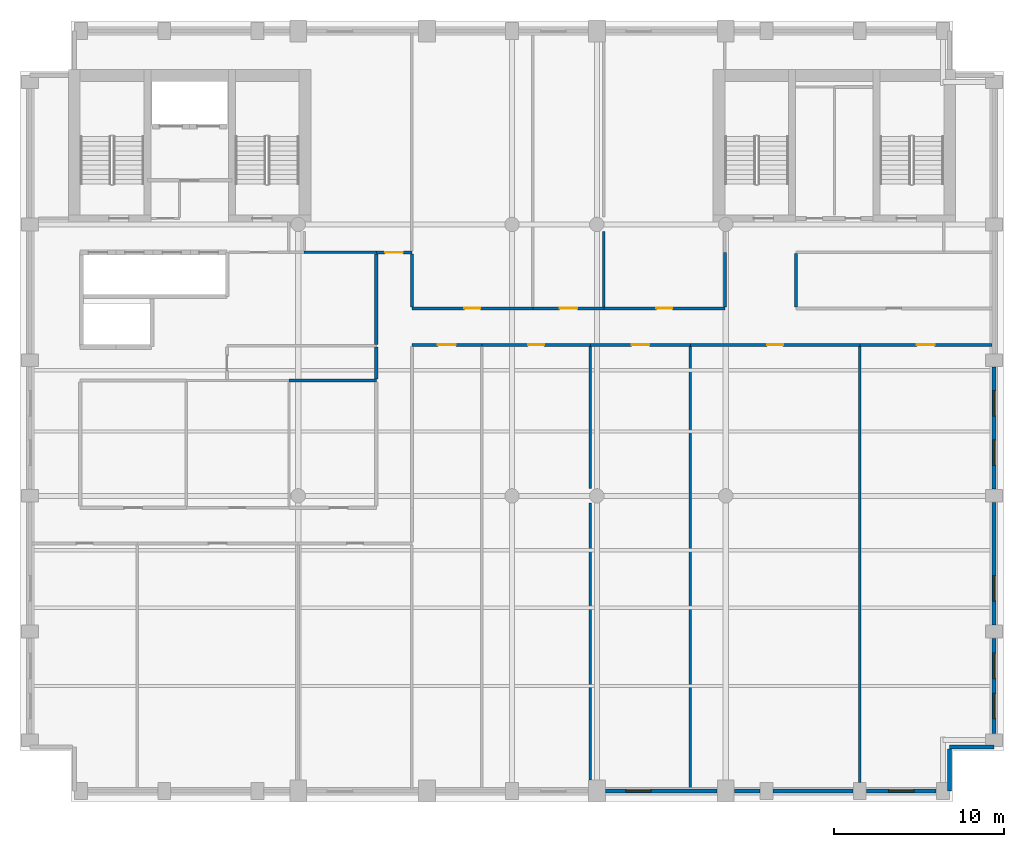
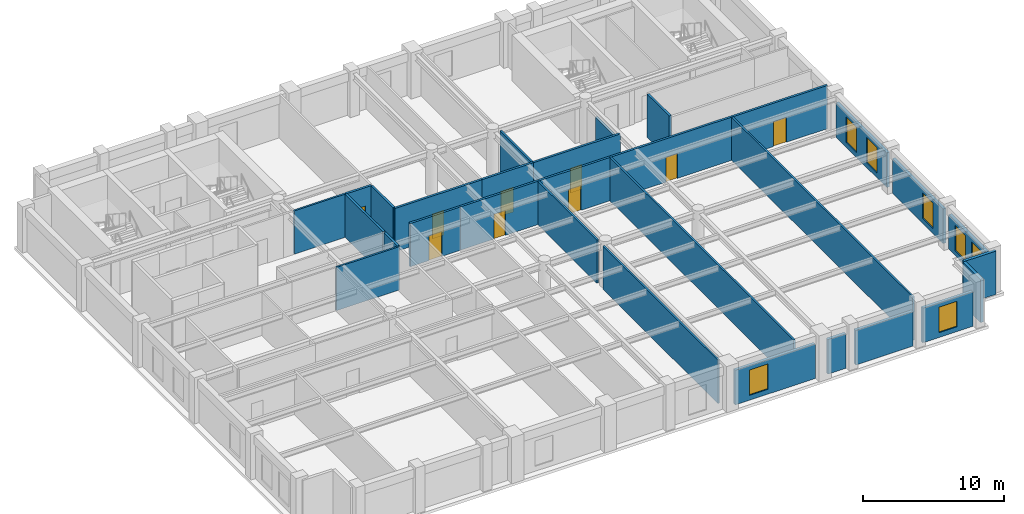
# One storey, part 4 of 8: 30 walls, 9 doors, 7 windows, 16 openings.
"""IFC4 building model written with IfcOpenShell, lengths in metres."""

from ifc_helpers import new_model, si_unit, direction, frame, frame_2d, origin, place, context, subcontext, project, spatial, rectangle, extrude, material, layer, layer_set, type_object, element, fill, save


model = new_model("IFC4")

# Units and contexts
model_context = context("Model", 3, precision=1e-05, world=origin(), true_north=direction((0.0, 1.0)))
body_context = subcontext(model_context, "Body", "Model", "MODEL_VIEW")
ifc_project = project(units=[si_unit("LENGTHUNIT", "METRE"), si_unit("AREAUNIT", "SQUARE_METRE"), si_unit("VOLUMEUNIT", "CUBIC_METRE"), si_unit("PLANEANGLEUNIT", "RADIAN"), si_unit("MASSUNIT", "GRAM", prefix="KILO")], contexts=[model_context])

# Site, building, storey
site_placement = place(None, origin())
site = spatial("IfcSite", under=ifc_project, at=site_placement, CompositionType="ELEMENT")
building_placement = place(site_placement, origin())
building = spatial("IfcBuilding", under=site, at=building_placement, Name="Sulina Concourse Tower", CompositionType="ELEMENT")
storey_placement = place(building_placement, frame((0.0, 0.0, 260.60009765625)))
storey = spatial("IfcBuildingStorey", under=building, at=storey_placement, Name="L63", CompositionType="ELEMENT", Elevation=260.60009765625)

# Wall, opening, window
ifc_material_1 = material(Name="Precast concrete C50/60", Category="concrete")
ifc_layer_1 = layer(ifc_material_1, 0.239990234375)
ifc_layer_set_1 = layer_set([ifc_layer_1], Name="Precast concrete C50/60")
wall_type_1 = type_object("IfcWallType", Name="Crown Precast Masonry-Frame Facade Wall 240mm", PredefinedType="SOLIDWALL", material=ifc_layer_set_1)
wall_1_placement = place(storey_placement, frame((41.080078125, 0.60009765625, 0.0), z_axis=(0.0, 0.0, 1.0), x_axis=(-1.0, 0.0, 0.0)))
wall_1 = element("IfcWall", 1, at=wall_1_placement, inside=storey, type_object=wall_type_1, Name="L63 exterior precast wall S7", PredefinedType="SOLIDWALL", context=body_context, shape_type="SweptSolid", body=[
    extrude(rectangle(XDim=6.56005859375, YDim=0.239990234375, at=frame_2d((3.280029296875, 0.0))), origin(), (0.0, 0.0, 1.0), 3.0),
])
opening_1_placement = place(wall_1_placement, frame((3.873291015625, 0.0, 0.419921875)))
opening_1 = element("IfcOpeningElement", 2, at=opening_1_placement, cuts=wall_1, Name="Opening WN-71", PredefinedType="OPENING", context=body_context, shape_type="SweptSolid", body=[
    extrude(rectangle(XDim=1.5, YDim=2.199951171875, at=frame_2d((0.75, 1.10009765625))), frame((0.0, 0.1298828125, 0.0), z_axis=(0.0, -1.0, 0.0), x_axis=(1.0, 0.0, 0.0)), (0.0, 0.0, 1.0), 0.260009765625),
])
ifc_material_2 = material(Name="Low-E solar double glazing in bronze aluminium", Category="aluminium")
window_type = type_object("IfcWindowType", Name="Punched Masonry-Frame Window 1500x2200", PartitioningType="SINGLE_PANEL", PredefinedType="WINDOW", material=ifc_material_2)
window_1_placement = place(opening_1_placement, origin())
window_1 = element("IfcWindow", 3, at=window_1_placement, inside=storey, type_object=window_type, Name="L63 punched window S7-1", OverallHeight=2.199951171875, OverallWidth=1.5, PartitioningType="SINGLE_PANEL", PredefinedType="WINDOW", context=body_context, shape_type="SweptSolid", body=[
    extrude(rectangle(XDim=1.5, YDim=2.199951171875, at=frame_2d((0.75, 1.10009765625))), frame((0.0, 0.030029296875, 0.0), z_axis=(0.0, -1.0, 0.0), x_axis=(1.0, 0.0, 0.0)), (0.0, 0.0, 1.0), 0.06005859375),
])
fill(opening_1, window_1)

# Walls
wall_2_placement = place(storey_placement, frame((43.60498046875, 0.60009765625, 0.0), z_axis=(0.0, 0.0, 1.0), x_axis=(-1.0, 0.0, 0.0)))
element("IfcWall", 4, at=wall_2_placement, inside=storey, type_object=wall_type_1, Name="L63 exterior precast wall S8", PredefinedType="SOLIDWALL", context=body_context, shape_type="SweptSolid", body=[
    extrude(rectangle(XDim=1.48486328125, YDim=0.239990234375, at=frame_2d((0.742431640625, 0.0))), origin(), (0.0, 0.0, 1.0), 3.0),
])
wall_3_placement = place(storey_placement, frame((49.10498046875, 0.60009765625, 0.0), z_axis=(0.0, 0.0, 1.0), x_axis=(-1.0, 0.0, 0.0)))
element("IfcWall", 5, at=wall_3_placement, inside=storey, type_object=wall_type_1, Name="L63 exterior precast wall S9", PredefinedType="SOLIDWALL", context=body_context, shape_type="SweptSolid", body=[
    extrude(rectangle(XDim=4.7099609375, YDim=0.239990234375, at=frame_2d((2.35498046875, 0.0))), origin(), (0.0, 0.0, 1.0), 3.0),
])

# Wall, opening, window
wall_4_placement = place(storey_placement, frame((54.0048828125, 0.60009765625, 0.0), z_axis=(0.0, 0.0, 1.0), x_axis=(-1.0, 0.0, 0.0)))
wall_4 = element("IfcWall", 6, at=wall_4_placement, inside=storey, type_object=wall_type_1, Name="L63 exterior precast wall S10", PredefinedType="SOLIDWALL", context=body_context, shape_type="SweptSolid", body=[
    extrude(rectangle(XDim=4.10986328125, YDim=0.239990234375, at=frame_2d((2.054931640625, 0.0))), origin(), (0.0, 0.0, 1.0), 3.0),
])
opening_2_placement = place(wall_4_placement, frame((1.304931640625, 0.0, 0.419921875)))
opening_2 = element("IfcOpeningElement", 7, at=opening_2_placement, cuts=wall_4, Name="Opening WN-71", PredefinedType="OPENING", context=body_context, shape_type="SweptSolid", body=[
    extrude(rectangle(XDim=1.5, YDim=2.199951171875, at=frame_2d((0.75, 1.10009765625))), frame((0.0, 0.1298828125, 0.0), z_axis=(0.0, -1.0, 0.0), x_axis=(1.0, 0.0, 0.0)), (0.0, 0.0, 1.0), 0.260009765625),
])
window_2_placement = place(opening_2_placement, origin())
window_2 = element("IfcWindow", 8, at=window_2_placement, inside=storey, type_object=window_type, Name="L63 punched window S10-1", OverallHeight=2.199951171875, OverallWidth=1.5, PartitioningType="SINGLE_PANEL", PredefinedType="WINDOW", context=body_context, shape_type="SweptSolid", body=[
    extrude(rectangle(XDim=1.5, YDim=2.199951171875, at=frame_2d((0.75, 1.10009765625))), frame((0.0, 0.030029296875, 0.0), z_axis=(0.0, -1.0, 0.0), x_axis=(1.0, 0.0, 0.0)), (0.0, 0.0, 1.0), 0.06005859375),
])
fill(opening_2, window_2)

# Wall, openings, windows
wall_5_placement = place(storey_placement, frame((57.39990234375, 9.60498046875, 0.0), z_axis=(0.0, 0.0, 1.0), x_axis=(0.0, -1.0, 0.0)))
wall_5 = element("IfcWall", 9, at=wall_5_placement, inside=storey, type_object=wall_type_1, Name="L63 exterior precast wall E1", PredefinedType="SOLIDWALL", context=body_context, shape_type="SweptSolid", body=[
    extrude(rectangle(XDim=5.60986328125, YDim=0.239990234375, at=frame_2d((2.804931640625, 0.0))), origin(), (0.0, 0.0, 1.0), 3.0),
])
opening_3_placement = place(wall_5_placement, frame((0.8701171875, 0.0, 0.419921875)))
opening_3 = element("IfcOpeningElement", 10, at=opening_3_placement, cuts=wall_5, Name="Opening WN-71", PredefinedType="OPENING", context=body_context, shape_type="SweptSolid", body=[
    extrude(rectangle(XDim=1.5, YDim=2.199951171875, at=frame_2d((0.75, 1.10009765625))), frame((0.0, 0.1298828125, 0.0), z_axis=(0.0, -1.0, 0.0), x_axis=(1.0, 0.0, 0.0)), (0.0, 0.0, 1.0), 0.260009765625),
])
opening_4_placement = place(wall_5_placement, frame((3.239990234375, 0.0, 0.419921875)))
opening_4 = element("IfcOpeningElement", 11, at=opening_4_placement, cuts=wall_5, Name="Opening WN-71", PredefinedType="OPENING", context=body_context, shape_type="SweptSolid", body=[
    extrude(rectangle(XDim=1.5, YDim=2.199951171875, at=frame_2d((0.75, 1.10009765625))), frame((0.0, 0.1298828125, 0.0), z_axis=(0.0, -1.0, 0.0), x_axis=(1.0, 0.0, 0.0)), (0.0, 0.0, 1.0), 0.260009765625),
])
window_3_placement = place(opening_3_placement, origin())
window_3 = element("IfcWindow", 12, at=window_3_placement, inside=storey, type_object=window_type, Name="L63 punched window E1-1", OverallHeight=2.199951171875, OverallWidth=1.5, PartitioningType="SINGLE_PANEL", PredefinedType="WINDOW", context=body_context, shape_type="SweptSolid", body=[
    extrude(rectangle(XDim=1.5, YDim=2.199951171875, at=frame_2d((0.75, 1.10009765625))), frame((0.0, 0.030029296875, 0.0), z_axis=(0.0, -1.0, 0.0), x_axis=(1.0, 0.0, 0.0)), (0.0, 0.0, 1.0), 0.06005859375),
])
fill(opening_3, window_3)
window_4_placement = place(opening_4_placement, origin())
window_4 = element("IfcWindow", 13, at=window_4_placement, inside=storey, type_object=window_type, Name="L63 punched window E1-2", OverallHeight=2.199951171875, OverallWidth=1.5, PartitioningType="SINGLE_PANEL", PredefinedType="WINDOW", context=body_context, shape_type="SweptSolid", body=[
    extrude(rectangle(XDim=1.5, YDim=2.199951171875, at=frame_2d((0.75, 1.10009765625))), frame((0.0, 0.030029296875, 0.0), z_axis=(0.0, -1.0, 0.0), x_axis=(1.0, 0.0, 0.0)), (0.0, 0.0, 1.0), 0.06005859375),
])
fill(opening_4, window_4)

# Wall, opening, window
wall_6_placement = place(storey_placement, frame((57.39990234375, 17.60498046875, 0.0), z_axis=(0.0, 0.0, 1.0), x_axis=(0.0, -1.0, 0.0)))
wall_6 = element("IfcWall", 14, at=wall_6_placement, inside=storey, type_object=wall_type_1, Name="L63 exterior precast wall E2", PredefinedType="SOLIDWALL", context=body_context, shape_type="SweptSolid", body=[
    extrude(rectangle(XDim=7.2099609375, YDim=0.239990234375, at=frame_2d((3.60498046875, 0.0))), origin(), (0.0, 0.0, 1.0), 3.0),
])
opening_5_placement = place(wall_6_placement, frame((4.306640625, 0.0, 0.419921875)))
opening_5 = element("IfcOpeningElement", 15, at=opening_5_placement, cuts=wall_6, Name="Opening WN-71", PredefinedType="OPENING", context=body_context, shape_type="SweptSolid", body=[
    extrude(rectangle(XDim=1.5, YDim=2.199951171875, at=frame_2d((0.75, 1.10009765625))), frame((0.0, 0.1298828125, 0.0), z_axis=(0.0, -1.0, 0.0), x_axis=(1.0, 0.0, 0.0)), (0.0, 0.0, 1.0), 0.260009765625),
])
window_5_placement = place(opening_5_placement, origin())
window_5 = element("IfcWindow", 16, at=window_5_placement, inside=storey, type_object=window_type, Name="L63 punched window E2-1", OverallHeight=2.199951171875, OverallWidth=1.5, PartitioningType="SINGLE_PANEL", PredefinedType="WINDOW", context=body_context, shape_type="SweptSolid", body=[
    extrude(rectangle(XDim=1.5, YDim=2.199951171875, at=frame_2d((0.75, 1.10009765625))), frame((0.0, 0.030029296875, 0.0), z_axis=(0.0, -1.0, 0.0), x_axis=(1.0, 0.0, 0.0)), (0.0, 0.0, 1.0), 0.06005859375),
])
fill(opening_5, window_5)

# Wall, openings, windows
wall_7_placement = place(storey_placement, frame((57.39990234375, 25.60498046875, 0.0), z_axis=(0.0, 0.0, 1.0), x_axis=(0.0, -1.0, 0.0)))
wall_7 = element("IfcWall", 17, at=wall_7_placement, inside=storey, type_object=wall_type_1, Name="L63 exterior precast wall E3", PredefinedType="SOLIDWALL", context=body_context, shape_type="SweptSolid", body=[
    extrude(rectangle(XDim=7.2099609375, YDim=0.239990234375, at=frame_2d((3.60498046875, 0.0))), origin(), (0.0, 0.0, 1.0), 3.0),
])
opening_6_placement = place(wall_7_placement, frame((1.4033203125, 0.0, 0.419921875)))
opening_6 = element("IfcOpeningElement", 18, at=opening_6_placement, cuts=wall_7, Name="Opening WN-71", PredefinedType="OPENING", context=body_context, shape_type="SweptSolid", body=[
    extrude(rectangle(XDim=1.5, YDim=2.199951171875, at=frame_2d((0.75, 1.10009765625))), frame((0.0, 0.1298828125, 0.0), z_axis=(0.0, -1.0, 0.0), x_axis=(1.0, 0.0, 0.0)), (0.0, 0.0, 1.0), 0.260009765625),
])
opening_7_placement = place(wall_7_placement, frame((4.306640625, 0.0, 0.419921875)))
opening_7 = element("IfcOpeningElement", 19, at=opening_7_placement, cuts=wall_7, Name="Opening WN-71", PredefinedType="OPENING", context=body_context, shape_type="SweptSolid", body=[
    extrude(rectangle(XDim=1.5, YDim=2.199951171875, at=frame_2d((0.75, 1.10009765625))), frame((0.0, 0.1298828125, 0.0), z_axis=(0.0, -1.0, 0.0), x_axis=(1.0, 0.0, 0.0)), (0.0, 0.0, 1.0), 0.260009765625),
])
window_6_placement = place(opening_6_placement, origin())
window_6 = element("IfcWindow", 20, at=window_6_placement, inside=storey, type_object=window_type, Name="L63 punched window E3-1", OverallHeight=2.199951171875, OverallWidth=1.5, PartitioningType="SINGLE_PANEL", PredefinedType="WINDOW", context=body_context, shape_type="SweptSolid", body=[
    extrude(rectangle(XDim=1.5, YDim=2.199951171875, at=frame_2d((0.75, 1.10009765625))), frame((0.0, 0.030029296875, 0.0), z_axis=(0.0, -1.0, 0.0), x_axis=(1.0, 0.0, 0.0)), (0.0, 0.0, 1.0), 0.06005859375),
])
fill(opening_6, window_6)
window_7_placement = place(opening_7_placement, origin())
window_7 = element("IfcWindow", 21, at=window_7_placement, inside=storey, type_object=window_type, Name="L63 punched window E3-2", OverallHeight=2.199951171875, OverallWidth=1.5, PartitioningType="SINGLE_PANEL", PredefinedType="WINDOW", context=body_context, shape_type="SweptSolid", body=[
    extrude(rectangle(XDim=1.5, YDim=2.199951171875, at=frame_2d((0.75, 1.10009765625))), frame((0.0, 0.030029296875, 0.0), z_axis=(0.0, -1.0, 0.0), x_axis=(1.0, 0.0, 0.0)), (0.0, 0.0, 1.0), 0.06005859375),
])
fill(opening_7, window_7)

# Walls
wall_8_placement = place(storey_placement, frame((57.39990234375, 3.205078125, 0.0), z_axis=(0.0, 0.0, 1.0), x_axis=(-1.0, 0.0, 0.0)))
element("IfcWall", 22, at=wall_8_placement, inside=storey, type_object=wall_type_1, Name="L63 exterior precast wall CSE1", PredefinedType="SOLIDWALL", context=body_context, shape_type="SweptSolid", body=[
    extrude(rectangle(XDim=2.60498046875, YDim=0.239990234375, at=frame_2d((1.302490234375, 0.0))), origin(), (0.0, 0.0, 1.0), 3.75),
])
wall_9_placement = place(storey_placement, frame((54.794921875, 3.080078125, 0.0), z_axis=(0.0, 0.0, 1.0), x_axis=(0.0, -1.0, 0.0)))
element("IfcWall", 23, at=wall_9_placement, inside=storey, type_object=wall_type_1, Name="L63 exterior precast wall CSE2", PredefinedType="SOLIDWALL", context=body_context, shape_type="SweptSolid", body=[
    extrude(rectangle(XDim=2.47998046875, YDim=0.239990234375, at=frame_2d((1.239990234375, 0.0))), origin(), (0.0, 0.0, 1.0), 3.75),
])
ifc_material_3 = material(Name="Gypsum board on steel stud", Category="steel")
ifc_layer_2 = layer(ifc_material_3, 0.14990234375)
ifc_layer_set_2 = layer_set([ifc_layer_2], Name="Gypsum board on steel stud")
wall_type_2 = type_object("IfcWallType", Name="Inter-Tenancy Acoustic Partition 150mm", PredefinedType="PARTITIONING", material=ifc_layer_set_2)
wall_10_placement = place(storey_placement, frame((15.85009765625, 24.800048828125, 0.0), z_axis=(0.0, 0.0, 1.0), x_axis=(1.0, 0.0, 0.0)))
element("IfcWall", 24, at=wall_10_placement, inside=storey, type_object=wall_type_2, Name="L63 interior partition 010", PredefinedType="PARTITIONING", context=body_context, shape_type="SweptSolid", body=[
    extrude(rectangle(XDim=5.14990234375, YDim=0.14990234375, at=frame_2d((2.574951171875, 0.0))), origin(), (0.0, 0.0, 1.0), 3.75),
])
wall_11_placement = place(storey_placement, frame((16.75, 32.35009765625, 0.0), z_axis=(0.0, 0.0, 1.0), x_axis=(1.0, 0.0, 0.0)))
element("IfcWall", 25, at=wall_11_placement, inside=storey, type_object=wall_type_2, Name="L63 interior partition 023", PredefinedType="PARTITIONING", context=body_context, shape_type="SweptSolid", body=[
    extrude(rectangle(XDim=4.25, YDim=0.14990234375, at=frame_2d((2.125, 0.0))), origin(), (0.0, 0.0, 1.0), 3.75),
])
wall_12_placement = place(storey_placement, frame((33.6201171875, 1.25, 0.0), z_axis=(0.0, 0.0, 1.0), x_axis=(0.0, 1.0, 0.0)))
element("IfcWall", 26, at=wall_12_placement, inside=storey, type_object=wall_type_2, Name="L63 interior partition 050", PredefinedType="PARTITIONING", context=body_context, shape_type="SweptSolid", body=[
    extrude(rectangle(XDim=16.324951171875, YDim=0.14990234375, at=frame_2d((8.16259765625, 0.0))), origin(), (0.0, 0.0, 1.0), 3.75),
])
wall_13_placement = place(storey_placement, frame((33.6201171875, 18.425048828125, 0.0), z_axis=(0.0, 0.0, 1.0), x_axis=(0.0, 1.0, 0.0)))
element("IfcWall", 27, at=wall_13_placement, inside=storey, type_object=wall_type_2, Name="L63 interior partition 051", PredefinedType="PARTITIONING", context=body_context, shape_type="SweptSolid", body=[
    extrude(rectangle(XDim=8.385009765625, YDim=0.14990234375, at=frame_2d((4.1923828125, 0.0))), origin(), (0.0, 0.0, 1.0), 3.75),
])
wall_14_placement = place(storey_placement, frame((34.419921875, 29.139892578125, 0.0), z_axis=(0.0, 0.0, 1.0), x_axis=(0.0, 1.0, 0.0)))
element("IfcWall", 28, at=wall_14_placement, inside=storey, type_object=wall_type_2, Name="L63 interior partition 052", PredefinedType="PARTITIONING", context=body_context, shape_type="SweptSolid", body=[
    extrude(rectangle(XDim=4.43505859375, YDim=0.14990234375, at=frame_2d((2.217529296875, 0.0))), origin(), (0.0, 0.0, 1.0), 3.75),
])
wall_15_placement = place(storey_placement, frame((39.52001953125, 0.719970703125, 0.0), z_axis=(0.0, 0.0, 1.0), x_axis=(0.0, 1.0, 0.0)))
element("IfcWall", 29, at=wall_15_placement, inside=storey, type_object=wall_type_2, Name="L63 interior partition 054", PredefinedType="PARTITIONING", context=body_context, shape_type="SweptSolid", body=[
    extrude(rectangle(XDim=26.090087890625, YDim=0.14990234375, at=frame_2d((13.044921875, 0.0))), origin(), (0.0, 0.0, 1.0), 3.75),
])
wall_16_placement = place(storey_placement, frame((49.5, 1.10009765625, 0.0), z_axis=(0.0, 0.0, 1.0), x_axis=(0.0, 1.0, 0.0)))
element("IfcWall", 30, at=wall_16_placement, inside=storey, type_object=wall_type_2, Name="L63 interior partition 060", PredefinedType="PARTITIONING", context=body_context, shape_type="SweptSolid", body=[
    extrude(rectangle(XDim=25.7099609375, YDim=0.14990234375, at=frame_2d((12.85498046875, 0.0))), origin(), (0.0, 0.0, 1.0), 3.75),
])

# Wall, opening, door
ifc_material_4 = material(Name="Gypsum board on steel stud", Category="steel")
ifc_layer_3 = layer(ifc_material_4, 0.179931640625)
ifc_layer_set_3 = layer_set([ifc_layer_3], Name="Gypsum board on steel stud")
wall_type_3 = type_object("IfcWallType", Name="Protected Corridor & Riser Partition 180mm", PredefinedType="PARTITIONING", material=ifc_layer_set_3)
wall_17_placement = place(storey_placement, frame((23.10009765625, 26.89990234375, 0.0), z_axis=(0.0, 0.0, 1.0), x_axis=(1.0, 0.0, 0.0)))
wall_17 = element("IfcWall", 31, at=wall_17_placement, inside=storey, type_object=wall_type_3, Name="L63 interior partition 012", PredefinedType="PARTITIONING", context=body_context, shape_type="SweptSolid", body=[
    extrude(rectangle(XDim=4.119873046875, YDim=0.179931640625, at=frame_2d((2.06005859375, 0.0))), origin(), (0.0, 0.0, 1.0), 3.75),
])
opening_8_placement = place(wall_17_placement, frame((1.534912109375, 0.0, 0.0)))
opening_8 = element("IfcOpeningElement", 32, at=opening_8_placement, cuts=wall_17, Name="Opening DR-37", PredefinedType="OPENING", context=body_context, shape_type="SweptSolid", body=[
    extrude(rectangle(XDim=1.050048828125, YDim=2.14990234375, at=frame_2d((0.52490234375, 1.074951171875))), frame((0.0, 0.099853515625, 0.0), z_axis=(0.0, -1.0, 0.0), x_axis=(1.0, 0.0, 0.0)), (0.0, 0.0, 1.0), 0.199951171875),
])
ifc_material_5 = material(Name="Oak-veneered fire door leaf")
ifc_layer_4 = layer(ifc_material_5, 0.050048828125)
ifc_layer_set_4 = layer_set([ifc_layer_4], Name="Oak-veneered fire door leaf")
door_type_1 = type_object("IfcDoorType", Name="Tenant Suite Entrance Fire Door 1050x2150", OperationType="NOTDEFINED", PredefinedType="DOOR", material=ifc_layer_set_4)
door_1_placement = place(opening_8_placement, origin())
door_1 = element("IfcDoor", 33, at=door_1_placement, inside=storey, type_object=door_type_1, Name="L63 interior door L63-S04", OperationType="SINGLE_SWING_LEFT", OverallHeight=2.14990234375, OverallWidth=1.050048828125, PredefinedType="DOOR", context=body_context, shape_type="SweptSolid", body=[
    extrude(rectangle(XDim=1.050048828125, YDim=2.14990234375, at=frame_2d((0.52490234375, 1.074951171875))), frame((0.0, 0.02490234375, 0.0), z_axis=(0.0, -1.0, 0.0), x_axis=(1.0, 0.0, 0.0)), (0.0, 0.0, 1.0), 0.050048828125),
])
fill(opening_8, door_1)

wall_18_placement = place(storey_placement, frame((27.219970703125, 26.89990234375, 0.0), z_axis=(0.0, 0.0, 1.0), x_axis=(1.0, 0.0, 0.0)))
wall_18 = element("IfcWall", 34, at=wall_18_placement, inside=storey, type_object=wall_type_3, Name="L63 interior partition 013", PredefinedType="PARTITIONING", context=body_context, shape_type="SweptSolid", body=[
    extrude(rectangle(XDim=6.400146484375, YDim=0.179931640625, at=frame_2d((3.2001953125, 0.0))), origin(), (0.0, 0.0, 1.0), 3.75),
])
opening_9_placement = place(wall_18_placement, frame((2.72509765625, 0.0, 0.0)))
opening_9 = element("IfcOpeningElement", 35, at=opening_9_placement, cuts=wall_18, Name="Opening DR-19", PredefinedType="OPENING", context=body_context, shape_type="SweptSolid", body=[
    extrude(rectangle(XDim=0.949951171875, YDim=2.14990234375, at=frame_2d((0.47509765625, 1.074951171875))), frame((0.0, 0.099853515625, 0.0), z_axis=(0.0, -1.0, 0.0), x_axis=(1.0, 0.0, 0.0)), (0.0, 0.0, 1.0), 0.199951171875),
])
ifc_material_6 = material(Name="Oak-veneered acoustic timber leaf", Category="wood")
ifc_layer_5 = layer(ifc_material_6, 0.050048828125)
ifc_layer_set_5 = layer_set([ifc_layer_5], Name="Oak-veneered acoustic timber leaf")
door_type_2 = type_object("IfcDoorType", Name="Cellular Office & Meeting Door 950x2150", OperationType="NOTDEFINED", PredefinedType="DOOR", material=ifc_layer_set_5)
door_2_placement = place(opening_9_placement, origin())
door_2 = element("IfcDoor", 36, at=door_2_placement, inside=storey, type_object=door_type_2, Name="L63 interior door L63-S05A", OperationType="SINGLE_SWING_RIGHT", OverallHeight=2.14990234375, OverallWidth=0.949951171875, PredefinedType="DOOR", context=body_context, shape_type="SweptSolid", body=[
    extrude(rectangle(XDim=0.949951171875, YDim=2.14990234375, at=frame_2d((0.47509765625, 1.074951171875))), frame((0.0, 0.02490234375, 0.0), z_axis=(0.0, -1.0, 0.0), x_axis=(1.0, 0.0, 0.0)), (0.0, 0.0, 1.0), 0.050048828125),
])
fill(opening_9, door_2)

wall_19_placement = place(storey_placement, frame((33.6201171875, 26.89990234375, 0.0), z_axis=(0.0, 0.0, 1.0), x_axis=(1.0, 0.0, 0.0)))
wall_19 = element("IfcWall", 37, at=wall_19_placement, inside=storey, type_object=wall_type_3, Name="L63 interior partition 014", PredefinedType="PARTITIONING", context=body_context, shape_type="SweptSolid", body=[
    extrude(rectangle(XDim=5.89990234375, YDim=0.179931640625, at=frame_2d((2.949951171875, 0.0))), origin(), (0.0, 0.0, 1.0), 3.75),
])
opening_10_placement = place(wall_19_placement, frame((2.425048828125, 0.0, 0.0)))
opening_10 = element("IfcOpeningElement", 38, at=opening_10_placement, cuts=wall_19, Name="Opening DR-37", PredefinedType="OPENING", context=body_context, shape_type="SweptSolid", body=[
    extrude(rectangle(XDim=1.050048828125, YDim=2.14990234375, at=frame_2d((0.52490234375, 1.074951171875))), frame((0.0, 0.099853515625, 0.0), z_axis=(0.0, -1.0, 0.0), x_axis=(1.0, 0.0, 0.0)), (0.0, 0.0, 1.0), 0.199951171875),
])
door_3_placement = place(opening_10_placement, origin())
door_3 = element("IfcDoor", 39, at=door_3_placement, inside=storey, type_object=door_type_1, Name="L63 interior door L63-S05B", OperationType="SINGLE_SWING_LEFT", OverallHeight=2.14990234375, OverallWidth=1.050048828125, PredefinedType="DOOR", context=body_context, shape_type="SweptSolid", body=[
    extrude(rectangle(XDim=1.050048828125, YDim=2.14990234375, at=frame_2d((0.52490234375, 1.074951171875))), frame((0.0, 0.02490234375, 0.0), z_axis=(0.0, -1.0, 0.0), x_axis=(1.0, 0.0, 0.0)), (0.0, 0.0, 1.0), 0.050048828125),
])
fill(opening_10, door_3)

wall_20_placement = place(storey_placement, frame((39.52001953125, 26.89990234375, 0.0), z_axis=(0.0, 0.0, 1.0), x_axis=(1.0, 0.0, 0.0)))
wall_20 = element("IfcWall", 40, at=wall_20_placement, inside=storey, type_object=wall_type_3, Name="L63 interior partition 015", PredefinedType="PARTITIONING", context=body_context, shape_type="SweptSolid", body=[
    extrude(rectangle(XDim=9.97998046875, YDim=0.179931640625, at=frame_2d((4.989990234375, 0.0))), origin(), (0.0, 0.0, 1.0), 3.75),
])
opening_11_placement = place(wall_20_placement, frame((4.514892578125, 0.0, 0.0)))
opening_11 = element("IfcOpeningElement", 41, at=opening_11_placement, cuts=wall_20, Name="Opening DR-19", PredefinedType="OPENING", context=body_context, shape_type="SweptSolid", body=[
    extrude(rectangle(XDim=0.949951171875, YDim=2.14990234375, at=frame_2d((0.47509765625, 1.074951171875))), frame((0.0, 0.099853515625, 0.0), z_axis=(0.0, -1.0, 0.0), x_axis=(1.0, 0.0, 0.0)), (0.0, 0.0, 1.0), 0.199951171875),
])
door_4_placement = place(opening_11_placement, origin())
door_4 = element("IfcDoor", 42, at=door_4_placement, inside=storey, type_object=door_type_2, Name="L63 interior door L63-S06", OperationType="SINGLE_SWING_RIGHT", OverallHeight=2.14990234375, OverallWidth=0.949951171875, PredefinedType="DOOR", context=body_context, shape_type="SweptSolid", body=[
    extrude(rectangle(XDim=0.949951171875, YDim=2.14990234375, at=frame_2d((0.47509765625, 1.074951171875))), frame((0.0, 0.02490234375, 0.0), z_axis=(0.0, -1.0, 0.0), x_axis=(1.0, 0.0, 0.0)), (0.0, 0.0, 1.0), 0.050048828125),
])
fill(opening_11, door_4)

wall_21_placement = place(storey_placement, frame((49.5, 26.89990234375, 0.0), z_axis=(0.0, 0.0, 1.0), x_axis=(1.0, 0.0, 0.0)))
wall_21 = element("IfcWall", 43, at=wall_21_placement, inside=storey, type_object=wall_type_3, Name="L63 interior partition 016", PredefinedType="PARTITIONING", context=body_context, shape_type="SweptSolid", body=[
    extrude(rectangle(XDim=7.780029296875, YDim=0.179931640625, at=frame_2d((3.89013671875, 0.0))), origin(), (0.0, 0.0, 1.0), 3.75),
])
opening_12_placement = place(wall_21_placement, frame((3.364990234375, 0.0, 0.0)))
opening_12 = element("IfcOpeningElement", 44, at=opening_12_placement, cuts=wall_21, Name="Opening DR-37", PredefinedType="OPENING", context=body_context, shape_type="SweptSolid", body=[
    extrude(rectangle(XDim=1.050048828125, YDim=2.14990234375, at=frame_2d((0.52490234375, 1.074951171875))), frame((0.0, 0.099853515625, 0.0), z_axis=(0.0, -1.0, 0.0), x_axis=(1.0, 0.0, 0.0)), (0.0, 0.0, 1.0), 0.199951171875),
])
door_5_placement = place(opening_12_placement, origin())
door_5 = element("IfcDoor", 45, at=door_5_placement, inside=storey, type_object=door_type_1, Name="L63 interior door L63-S07", OperationType="SINGLE_SWING_LEFT", OverallHeight=2.14990234375, OverallWidth=1.050048828125, PredefinedType="DOOR", context=body_context, shape_type="SweptSolid", body=[
    extrude(rectangle(XDim=1.050048828125, YDim=2.14990234375, at=frame_2d((0.52490234375, 1.074951171875))), frame((0.0, 0.02490234375, 0.0), z_axis=(0.0, -1.0, 0.0), x_axis=(1.0, 0.0, 0.0)), (0.0, 0.0, 1.0), 0.050048828125),
])
fill(opening_12, door_5)

wall_22_placement = place(storey_placement, frame((23.10009765625, 29.050048828125, 0.0), z_axis=(0.0, 0.0, 1.0), x_axis=(1.0, 0.0, 0.0)))
wall_22 = element("IfcWall", 46, at=wall_22_placement, inside=storey, type_object=wall_type_3, Name="L63 interior partition 017", PredefinedType="PARTITIONING", context=body_context, shape_type="SweptSolid", body=[
    extrude(rectangle(XDim=7.1298828125, YDim=0.179931640625, at=frame_2d((3.56494140625, 0.0))), origin(), (0.0, 0.0, 1.0), 3.75),
])
opening_13_placement = place(wall_22_placement, frame((3.090087890625, 0.0, 0.0)))
opening_13 = element("IfcOpeningElement", 47, at=opening_13_placement, cuts=wall_22, Name="Opening DR-19", PredefinedType="OPENING", context=body_context, shape_type="SweptSolid", body=[
    extrude(rectangle(XDim=0.949951171875, YDim=2.14990234375, at=frame_2d((0.47509765625, 1.074951171875))), frame((0.0, 0.099853515625, 0.0), z_axis=(0.0, -1.0, 0.0), x_axis=(1.0, 0.0, 0.0)), (0.0, 0.0, 1.0), 0.199951171875),
])
door_6_placement = place(opening_13_placement, origin())
door_6 = element("IfcDoor", 48, at=door_6_placement, inside=storey, type_object=door_type_2, Name="L63 interior door L63-NC1", OperationType="SINGLE_SWING_RIGHT", OverallHeight=2.14990234375, OverallWidth=0.949951171875, PredefinedType="DOOR", context=body_context, shape_type="SweptSolid", body=[
    extrude(rectangle(XDim=0.949951171875, YDim=2.14990234375, at=frame_2d((0.47509765625, 1.074951171875))), frame((0.0, 0.02490234375, 0.0), z_axis=(0.0, -1.0, 0.0), x_axis=(1.0, 0.0, 0.0)), (0.0, 0.0, 1.0), 0.050048828125),
])
fill(opening_13, door_6)

wall_23_placement = place(storey_placement, frame((30.22998046875, 29.050048828125, 0.0), z_axis=(0.0, 0.0, 1.0), x_axis=(1.0, 0.0, 0.0)))
wall_23 = element("IfcWall", 49, at=wall_23_placement, inside=storey, type_object=wall_type_3, Name="L63 interior partition 018", PredefinedType="PARTITIONING", context=body_context, shape_type="SweptSolid", body=[
    extrude(rectangle(XDim=4.18994140625, YDim=0.179931640625, at=frame_2d((2.094970703125, 0.0))), origin(), (0.0, 0.0, 1.0), 3.75),
])
opening_14_placement = place(wall_23_placement, frame((1.570068359375, 0.0, 0.0)))
opening_14 = element("IfcOpeningElement", 50, at=opening_14_placement, cuts=wall_23, Name="Opening DR-37", PredefinedType="OPENING", context=body_context, shape_type="SweptSolid", body=[
    extrude(rectangle(XDim=1.050048828125, YDim=2.14990234375, at=frame_2d((0.52490234375, 1.074951171875))), frame((0.0, 0.099853515625, 0.0), z_axis=(0.0, -1.0, 0.0), x_axis=(1.0, 0.0, 0.0)), (0.0, 0.0, 1.0), 0.199951171875),
])
door_7_placement = place(opening_14_placement, origin())
door_7 = element("IfcDoor", 51, at=door_7_placement, inside=storey, type_object=door_type_1, Name="L63 interior door L63-NC2", OperationType="SINGLE_SWING_LEFT", OverallHeight=2.14990234375, OverallWidth=1.050048828125, PredefinedType="DOOR", context=body_context, shape_type="SweptSolid", body=[
    extrude(rectangle(XDim=1.050048828125, YDim=2.14990234375, at=frame_2d((0.52490234375, 1.074951171875))), frame((0.0, 0.02490234375, 0.0), z_axis=(0.0, -1.0, 0.0), x_axis=(1.0, 0.0, 0.0)), (0.0, 0.0, 1.0), 0.050048828125),
])
fill(opening_14, door_7)

wall_24_placement = place(storey_placement, frame((34.419921875, 29.050048828125, 0.0), z_axis=(0.0, 0.0, 1.0), x_axis=(1.0, 0.0, 0.0)))
wall_24 = element("IfcWall", 52, at=wall_24_placement, inside=storey, type_object=wall_type_3, Name="L63 interior partition 019", PredefinedType="PARTITIONING", context=body_context, shape_type="SweptSolid", body=[
    extrude(rectangle(XDim=7.130126953125, YDim=0.179931640625, at=frame_2d((3.56494140625, 0.0))), origin(), (0.0, 0.0, 1.0), 3.75),
])
opening_15_placement = place(wall_24_placement, frame((3.090087890625, 0.0, 0.0)))
opening_15 = element("IfcOpeningElement", 53, at=opening_15_placement, cuts=wall_24, Name="Opening DR-19", PredefinedType="OPENING", context=body_context, shape_type="SweptSolid", body=[
    extrude(rectangle(XDim=0.949951171875, YDim=2.14990234375, at=frame_2d((0.47509765625, 1.074951171875))), frame((0.0, 0.099853515625, 0.0), z_axis=(0.0, -1.0, 0.0), x_axis=(1.0, 0.0, 0.0)), (0.0, 0.0, 1.0), 0.199951171875),
])
door_8_placement = place(opening_15_placement, origin())
door_8 = element("IfcDoor", 54, at=door_8_placement, inside=storey, type_object=door_type_2, Name="L63 interior door L63-NC3", OperationType="SINGLE_SWING_RIGHT", OverallHeight=2.14990234375, OverallWidth=0.949951171875, PredefinedType="DOOR", context=body_context, shape_type="SweptSolid", body=[
    extrude(rectangle(XDim=0.949951171875, YDim=2.14990234375, at=frame_2d((0.47509765625, 1.074951171875))), frame((0.0, 0.02490234375, 0.0), z_axis=(0.0, -1.0, 0.0), x_axis=(1.0, 0.0, 0.0)), (0.0, 0.0, 1.0), 0.050048828125),
])
fill(opening_15, door_8)

wall_25_placement = place(storey_placement, frame((21.0, 32.35009765625, 0.0), z_axis=(0.0, 0.0, 1.0), x_axis=(1.0, 0.0, 0.0)))
wall_25 = element("IfcWall", 55, at=wall_25_placement, inside=storey, type_object=wall_type_3, Name="L63 interior partition 024", PredefinedType="PARTITIONING", context=body_context, shape_type="SweptSolid", body=[
    extrude(rectangle(XDim=2.10009765625, YDim=0.179931640625, at=frame_2d((1.050048828125, 0.0))), origin(), (0.0, 0.0, 1.0), 3.75),
])
opening_16_placement = place(wall_25_placement, frame((0.52490234375, 0.0, 0.0)))
opening_16 = element("IfcOpeningElement", 56, at=opening_16_placement, cuts=wall_25, Name="Opening DR-37", PredefinedType="OPENING", context=body_context, shape_type="SweptSolid", body=[
    extrude(rectangle(XDim=1.050048828125, YDim=2.14990234375, at=frame_2d((0.52490234375, 1.074951171875))), frame((0.0, 0.099853515625, 0.0), z_axis=(0.0, -1.0, 0.0), x_axis=(1.0, 0.0, 0.0)), (0.0, 0.0, 1.0), 0.199951171875),
])
door_9_placement = place(opening_16_placement, origin())
door_9 = element("IfcDoor", 57, at=door_9_placement, inside=storey, type_object=door_type_1, Name="L63 interior door L63-NC-NW", OperationType="SINGLE_SWING_LEFT", OverallHeight=2.14990234375, OverallWidth=1.050048828125, PredefinedType="DOOR", context=body_context, shape_type="SweptSolid", body=[
    extrude(rectangle(XDim=1.050048828125, YDim=2.14990234375, at=frame_2d((0.52490234375, 1.074951171875))), frame((0.0, 0.02490234375, 0.0), z_axis=(0.0, -1.0, 0.0), x_axis=(1.0, 0.0, 0.0)), (0.0, 0.0, 1.0), 0.050048828125),
])
fill(opening_16, door_9)

# Walls
wall_26_placement = place(storey_placement, frame((21.0, 24.875, 0.0), z_axis=(0.0, 0.0, 1.0), x_axis=(0.0, 1.0, 0.0)))
element("IfcWall", 58, at=wall_26_placement, inside=storey, type_object=wall_type_3, Name="L63 interior partition 041", PredefinedType="PARTITIONING", context=body_context, shape_type="SweptSolid", body=[
    extrude(rectangle(XDim=1.89990234375, YDim=0.179931640625, at=frame_2d((0.949951171875, 0.0))), origin(), (0.0, 0.0, 1.0), 3.75),
])
wall_27_placement = place(storey_placement, frame((21.0, 26.925048828125, 0.0), z_axis=(0.0, 0.0, 1.0), x_axis=(0.0, 1.0, 0.0)))
element("IfcWall", 59, at=wall_27_placement, inside=storey, type_object=wall_type_3, Name="L63 interior partition 042", PredefinedType="PARTITIONING", context=body_context, shape_type="SweptSolid", body=[
    extrude(rectangle(XDim=5.3349609375, YDim=0.179931640625, at=frame_2d((2.66748046875, 0.0))), origin(), (0.0, 0.0, 1.0), 3.75),
])
wall_28_placement = place(storey_placement, frame((23.10009765625, 29.139892578125, 0.0), z_axis=(0.0, 0.0, 1.0), x_axis=(0.0, 1.0, 0.0)))
element("IfcWall", 60, at=wall_28_placement, inside=storey, type_object=wall_type_3, Name="L63 interior partition 046", PredefinedType="PARTITIONING", context=body_context, shape_type="SweptSolid", body=[
    extrude(rectangle(XDim=3.1201171875, YDim=0.179931640625, at=frame_2d((1.56005859375, 0.0))), origin(), (0.0, 0.0, 1.0), 3.75),
])
wall_29_placement = place(storey_placement, frame((41.550048828125, 29.139892578125, 0.0), z_axis=(0.0, 0.0, 1.0), x_axis=(0.0, 1.0, 0.0)))
element("IfcWall", 61, at=wall_29_placement, inside=storey, type_object=wall_type_3, Name="L63 interior partition 055", PredefinedType="PARTITIONING", context=body_context, shape_type="SweptSolid", body=[
    extrude(rectangle(XDim=3.210205078125, YDim=0.179931640625, at=frame_2d((1.60498046875, 0.0))), origin(), (0.0, 0.0, 1.0), 3.19482421875),
])
wall_30_placement = place(storey_placement, frame((45.75, 29.139892578125, 0.0), z_axis=(0.0, 0.0, 1.0), x_axis=(0.0, 1.0, 0.0)))
element("IfcWall", 62, at=wall_30_placement, inside=storey, type_object=wall_type_3, Name="L63 interior partition 058", PredefinedType="PARTITIONING", context=body_context, shape_type="SweptSolid", body=[
    extrude(rectangle(XDim=3.135009765625, YDim=0.179931640625, at=frame_2d((1.5673828125, 0.0))), origin(), (0.0, 0.0, 1.0), 3.75),
])

save(model, "model.ifc")
